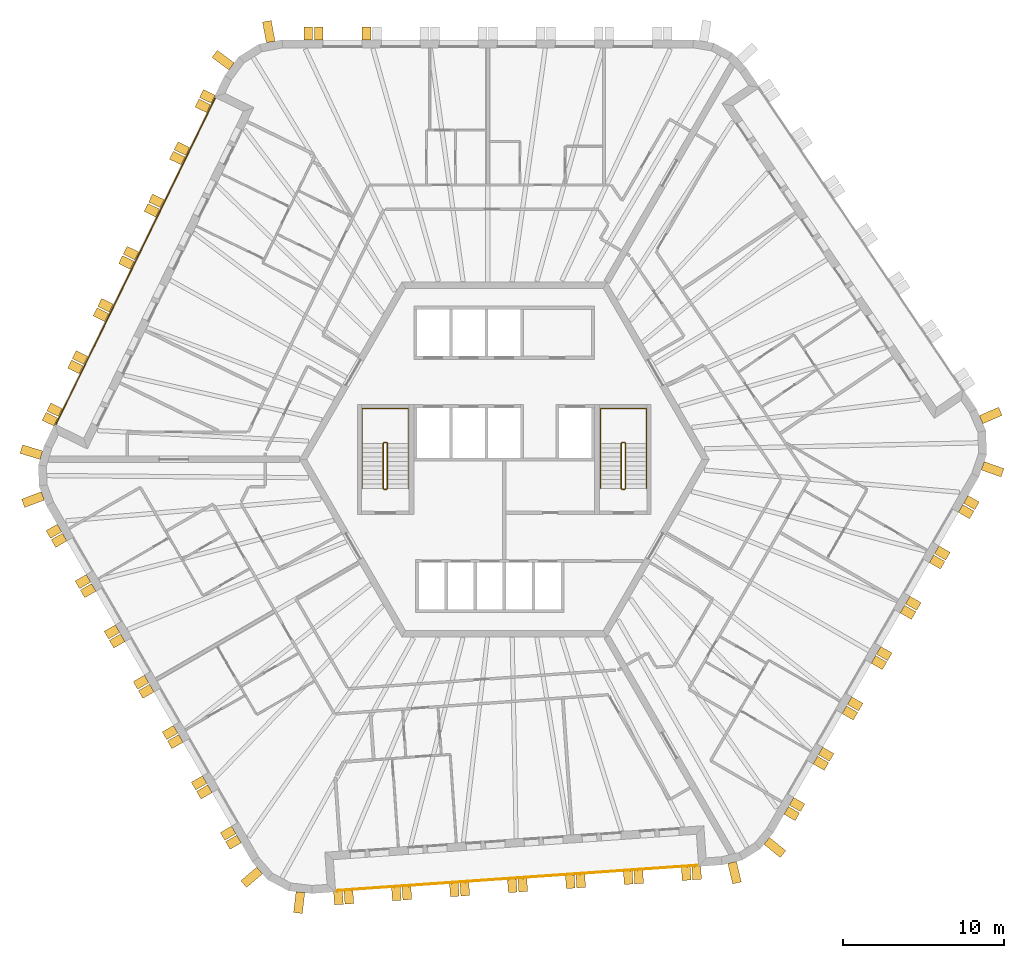
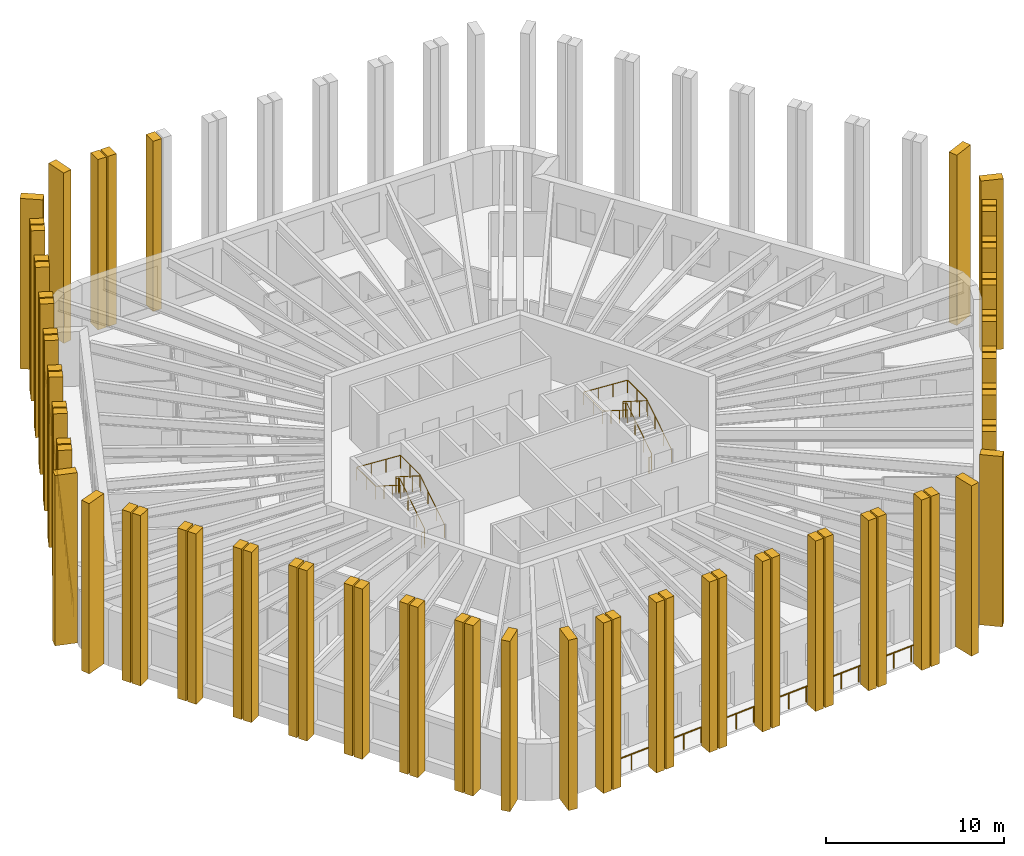
# One storey, part 11 of 12: 69 shading devices, 6 railings.
"""IFC4 building model written with IfcOpenShell, lengths in metres."""

from ifc_helpers import new_model, si_unit, direction, frame, origin, origin_2d, place, context, subcontext, project, spatial, polyline, circle, outline, extrude, material, layer, layer_set, type_object, element, save


model = new_model("IFC4")

# Units and contexts
model_context = context("Model", 3, precision=1e-05, world=origin(), true_north=direction((0.0, 1.0)))
body_context = subcontext(model_context, "Body", "Model", "MODEL_VIEW")
ifc_project = project(units=[si_unit("LENGTHUNIT", "METRE"), si_unit("AREAUNIT", "SQUARE_METRE"), si_unit("VOLUMEUNIT", "CUBIC_METRE"), si_unit("PLANEANGLEUNIT", "RADIAN"), si_unit("MASSUNIT", "GRAM", prefix="KILO")], contexts=[model_context])

# Site, building, storey
site_placement = place(None, origin())
site = spatial("IfcSite", under=ifc_project, at=site_placement, CompositionType="ELEMENT")
building_placement = place(site_placement, origin())
building = spatial("IfcBuilding", under=site, at=building_placement, Name="Tarnside Tower", CompositionType="ELEMENT")
storey_placement = place(building_placement, frame((0.0, 0.0, 291.300048828125)))
storey = spatial("IfcBuildingStorey", under=building, at=storey_placement, Name="L70", CompositionType="ELEMENT", Elevation=291.300048828125)

# Railings
ifc_material_1 = material(Name="Toughened glass", Category="glass")
railing_type_1 = type_object("IfcRailingType", Name="Glass guard 1100", PredefinedType="GUARDRAIL", material=ifc_material_1)
railing_1_placement = place(storey_placement, frame((-17.906005859375, 22.415283203125, 0.0)))
element("IfcRailing", 1, at=railing_1_placement, inside=storey, type_object=railing_type_1, Name="Loggia guard L70 F2", PredefinedType="GUARDRAIL", context=body_context, shape_type="SweptSolid", body=[
    extrude(circle(Radius=0.030029296875, at=origin_2d()), frame((0.0, 0.0, 1.070068359375), z_axis=(-0.438372639335, -0.898793318335, 0.0), x_axis=(0.898793318335, -0.438372639335, 0.0)), (0.0, 0.0, 1.0), 22.544921875),
    extrude(circle(Radius=0.02490234375, at=origin_2d()), origin(), (0.0, 0.0, 1.0), 1.0400390625),
    extrude(circle(Radius=0.02490234375, at=origin_2d()), frame((-0.520263671875, -1.06640625, 0.0)), (0.0, 0.0, 1.0), 1.0400390625),
    extrude(circle(Radius=0.02490234375, at=origin_2d()), frame((-1.040283203125, -2.133056640625, 0.0)), (0.0, 0.0, 1.0), 1.0400390625),
    extrude(circle(Radius=0.02490234375, at=origin_2d()), frame((-1.560546875, -3.199462890625, 0.0)), (0.0, 0.0, 1.0), 1.0400390625),
    extrude(circle(Radius=0.02490234375, at=origin_2d()), frame((-2.08056640625, -4.265869140625, 0.0)), (0.0, 0.0, 1.0), 1.0400390625),
    extrude(circle(Radius=0.02490234375, at=origin_2d()), frame((-2.600830078125, -5.33251953125, 0.0)), (0.0, 0.0, 1.0), 1.0400390625),
    extrude(circle(Radius=0.02490234375, at=origin_2d()), frame((-3.120849609375, -6.39892578125, 0.0)), (0.0, 0.0, 1.0), 1.0400390625),
    extrude(circle(Radius=0.02490234375, at=origin_2d()), frame((-3.64111328125, -7.46533203125, 0.0)), (0.0, 0.0, 1.0), 1.0400390625),
    extrude(circle(Radius=0.02490234375, at=origin_2d()), frame((-4.161376953125, -8.531982421875, 0.0)), (0.0, 0.0, 1.0), 1.0400390625),
    extrude(circle(Radius=0.02490234375, at=origin_2d()), frame((-4.681396484375, -9.598388671875, 0.0)), (0.0, 0.0, 1.0), 1.0400390625),
    extrude(circle(Radius=0.02490234375, at=origin_2d()), frame((-5.20166015625, -10.664794921875, 0.0)), (0.0, 0.0, 1.0), 1.0400390625),
    extrude(circle(Radius=0.02490234375, at=origin_2d()), frame((-5.7216796875, -11.731201171875, 0.0)), (0.0, 0.0, 1.0), 1.0400390625),
    extrude(circle(Radius=0.02490234375, at=origin_2d()), frame((-6.241943359375, -12.7978515625, 0.0)), (0.0, 0.0, 1.0), 1.0400390625),
    extrude(circle(Radius=0.02490234375, at=origin_2d()), frame((-6.76220703125, -13.8642578125, 0.0)), (0.0, 0.0, 1.0), 1.0400390625),
    extrude(circle(Radius=0.02490234375, at=origin_2d()), frame((-7.2822265625, -14.9306640625, 0.0)), (0.0, 0.0, 1.0), 1.0400390625),
    extrude(circle(Radius=0.02490234375, at=origin_2d()), frame((-7.802490234375, -15.997314453125, 0.0)), (0.0, 0.0, 1.0), 1.0400390625),
    extrude(circle(Radius=0.02490234375, at=origin_2d()), frame((-8.322509765625, -17.063720703125, 0.0)), (0.0, 0.0, 1.0), 1.0400390625),
    extrude(circle(Radius=0.02490234375, at=origin_2d()), frame((-8.8427734375, -18.130126953125, 0.0)), (0.0, 0.0, 1.0), 1.0400390625),
    extrude(circle(Radius=0.02490234375, at=origin_2d()), frame((-9.36279296875, -19.19677734375, 0.0)), (0.0, 0.0, 1.0), 1.0400390625),
    extrude(circle(Radius=0.02490234375, at=origin_2d()), frame((-9.883056640625, -20.26318359375, 0.0)), (0.0, 0.0, 1.0), 1.0400390625),
])
railing_2_placement = place(storey_placement, frame((-10.458984375, -26.714599609375, 0.0)))
element("IfcRailing", 2, at=railing_2_placement, inside=storey, type_object=railing_type_1, Name="Loggia guard L70 F4", PredefinedType="GUARDRAIL", context=body_context, shape_type="SweptSolid", body=[
    extrude(circle(Radius=0.030029296875, at=origin_2d()), frame((0.0, 0.0, 1.070068359375), z_axis=(0.997564440639, 0.069750890837, 0.0), x_axis=(-0.069750890837, 0.997564440639, 0.0)), (0.0, 0.0, 1.0), 22.544677734375),
    extrude(circle(Radius=0.02490234375, at=origin_2d()), origin(), (0.0, 0.0, 1.0), 1.0400390625),
    extrude(circle(Radius=0.02490234375, at=origin_2d()), frame((1.18359375, 0.082763671875, 0.0)), (0.0, 0.0, 1.0), 1.0400390625),
    extrude(circle(Radius=0.02490234375, at=origin_2d()), frame((2.367431640625, 0.16552734375, 0.0)), (0.0, 0.0, 1.0), 1.0400390625),
    extrude(circle(Radius=0.02490234375, at=origin_2d()), frame((3.551025390625, 0.248291015625, 0.0)), (0.0, 0.0, 1.0), 1.0400390625),
    extrude(circle(Radius=0.02490234375, at=origin_2d()), frame((4.734619140625, 0.3310546875, 0.0)), (0.0, 0.0, 1.0), 1.0400390625),
    extrude(circle(Radius=0.02490234375, at=origin_2d()), frame((5.91845703125, 0.413818359375, 0.0)), (0.0, 0.0, 1.0), 1.0400390625),
    extrude(circle(Radius=0.02490234375, at=origin_2d()), frame((7.10205078125, 0.49658203125, 0.0)), (0.0, 0.0, 1.0), 1.0400390625),
    extrude(circle(Radius=0.02490234375, at=origin_2d()), frame((8.28564453125, 0.579345703125, 0.0)), (0.0, 0.0, 1.0), 1.0400390625),
    extrude(circle(Radius=0.02490234375, at=origin_2d()), frame((9.469482421875, 0.662109375, 0.0)), (0.0, 0.0, 1.0), 1.0400390625),
    extrude(circle(Radius=0.02490234375, at=origin_2d()), frame((10.653076171875, 0.744873046875, 0.0)), (0.0, 0.0, 1.0), 1.0400390625),
    extrude(circle(Radius=0.02490234375, at=origin_2d()), frame((11.836669921875, 0.82763671875, 0.0)), (0.0, 0.0, 1.0), 1.0400390625),
    extrude(circle(Radius=0.02490234375, at=origin_2d()), frame((13.020263671875, 0.910400390625, 0.0)), (0.0, 0.0, 1.0), 1.0400390625),
    extrude(circle(Radius=0.02490234375, at=origin_2d()), frame((14.2041015625, 0.9931640625, 0.0)), (0.0, 0.0, 1.0), 1.0400390625),
    extrude(circle(Radius=0.02490234375, at=origin_2d()), frame((15.3876953125, 1.075927734375, 0.0)), (0.0, 0.0, 1.0), 1.0400390625),
    extrude(circle(Radius=0.02490234375, at=origin_2d()), frame((16.5712890625, 1.15869140625, 0.0)), (0.0, 0.0, 1.0), 1.0400390625),
    extrude(circle(Radius=0.02490234375, at=origin_2d()), frame((17.755126953125, 1.241455078125, 0.0)), (0.0, 0.0, 1.0), 1.0400390625),
    extrude(circle(Radius=0.02490234375, at=origin_2d()), frame((18.938720703125, 1.32421875, 0.0)), (0.0, 0.0, 1.0), 1.0400390625),
    extrude(circle(Radius=0.02490234375, at=origin_2d()), frame((20.122314453125, 1.406982421875, 0.0)), (0.0, 0.0, 1.0), 1.0400390625),
    extrude(circle(Radius=0.02490234375, at=origin_2d()), frame((21.30615234375, 1.48974609375, 0.0)), (0.0, 0.0, 1.0), 1.0400390625),
    extrude(circle(Radius=0.02490234375, at=origin_2d()), frame((22.48974609375, 1.572509765625, 0.0)), (0.0, 0.0, 1.0), 1.0400390625),
])

# Shading devices
ifc_material_2 = material(Name="Concrete C50/60 white precast", Category="concrete")
ifc_layer_1 = layer(ifc_material_2, 0.550048828125)
ifc_layer_set_1 = layer_set([ifc_layer_1], Name="Precast fin 550 x 1300")
shading_device_type_1 = type_object("IfcShadingDeviceType", Name="Precast fin 550 x 1300", PredefinedType="USERDEFINED", material=ifc_layer_set_1)
for number, where, z_axis, x_axis, name in (
    (3, (-14.4755859375, 25.8671875, -0.150146484375), (0.982720646705, 0.18509492305, 0.0), (-0.18509492305, 0.982720646705, 0.0), "Precast fin"),
    (4, (-16.903564453125, 24.349853515625, -0.150146484375), (0.597158591707, 0.802123192752, 0.0), (-0.802123192752, 0.597158591707, 0.0), "Precast fin"),
    (5, (-28.685791015625, 0.263427734375, -0.150146484375), (0.286803232717, 0.957989512314, 0.0), (-0.957989512314, 0.286803232717, 0.0), "Precast fin"),
    (6, (-28.597412109375, -2.263671875, -0.150146484375), (-0.352930564719, 0.935649515837, 0.0), (-0.935649515837, -0.352930564719, 0.0), "Precast fin"),
    (7, (-15.163818359375, -25.4697265625, -0.150146484375), (-0.651657228826, 0.758513583345, 0.0), (-0.758513583345, -0.651657228826, 0.0), "Precast fin"),
    (8, (-12.6357421875, -26.81396484375, -0.150146484375), (-0.993238357741, 0.116092914131, 0.0), (-0.116092914131, -0.993238357741, 0.0), "Precast fin"),
    (9, (14.11474609375, -24.974365234375, -0.150146484375), (-0.973044870581, -0.230615870737, 0.0), (0.230615870737, -0.973044870581, 0.0), "Precast fin"),
    (10, (16.25927734375, -23.63427734375, -0.150146484375), (-0.633830967394, -0.773471592738, 0.0), (0.773471592738, -0.633830967394, 0.0), "Precast fin"),
    (11, (29.639404296875, -0.3974609375, -0.150146484375), (-0.331063417879, -0.943608506396, 0.0), (0.943608506396, -0.331063417879, 0.0), "Precast fin"),
    (12, (29.53955078125, 2.464111328125, -0.150146484375), (0.396079766034, -0.918216106883, 0.0), (0.918216106883, 0.396079766034, 0.0), "Precast fin"),
):
    element("IfcShadingDevice", number, at=place(storey_placement, frame(where, z_axis=z_axis, x_axis=x_axis)), inside=storey, type_object=shading_device_type_1, Name=name, ObjectType="FIN", PredefinedType="USERDEFINED", context=body_context, shape_type="SweptSolid", body=[
        extrude(outline(polyline([(0.0, 0.0), (1.300048828125, 0.0), (1.300048828125, 11.7001953125), (0.0, 11.7001953125), (0.0, 0.0)])), frame((0.0, 0.0, -0.27490234375)), (0.0, 0.0, 1.0), 0.550048828125),
    ])
ifc_layer_2 = layer(ifc_material_2, 0.550048828125)
ifc_layer_set_2 = layer_set([ifc_layer_2], Name="Precast fin 550 x 800")
shading_device_type_2 = type_object("IfcShadingDeviceType", Name="Precast fin 550 x 800", PredefinedType="USERDEFINED", material=ifc_layer_set_2)
for number, where, z_axis, x_axis, name in (
    (13, (-8.5498046875, 26.0, -0.150146484375), (1.0, 0.0, 0.0), (0.0, 1.0, 0.0), "Precast fin"),
    (14, (-11.499755859375, 26.0, -0.150146484375), (1.0, 0.0, 0.0), (0.0, 1.0, 0.0), "Precast fin"),
    (15, (-12.14990234375, 26.0, -0.150146484375), (1.0, 0.0, 0.0), (0.0, 1.0, 0.0), "Precast fin"),
    (16, (-18.04248046875, 22.31787109375, -0.150146484375), (0.438371146789, 0.898794046299, 0.0), (-0.898794046299, 0.438371146789, 0.0), "Precast fin"),
    (17, (-18.327392578125, 21.733642578125, -0.150146484375), (0.438371146789, 0.898794046299, 0.0), (-0.898794046299, 0.438371146789, 0.0), "Precast fin"),
    (18, (-19.62060546875, 19.08203125, -0.150146484375), (0.438371146789, 0.898794046299, 0.0), (-0.898794046299, 0.438371146789, 0.0), "Precast fin"),
    (19, (-19.905517578125, 18.497802734375, -0.150146484375), (0.438371146789, 0.898794046299, 0.0), (-0.898794046299, 0.438371146789, 0.0), "Precast fin"),
    (20, (-21.19873046875, 15.846435546875, -0.150146484375), (0.438371146789, 0.898794046299, 0.0), (-0.898794046299, 0.438371146789, 0.0), "Precast fin"),
    (21, (-21.48388671875, 15.26220703125, -0.150146484375), (0.438371146789, 0.898794046299, 0.0), (-0.898794046299, 0.438371146789, 0.0), "Precast fin"),
    (22, (-22.77685546875, 12.61083984375, -0.150146484375), (0.438371146789, 0.898794046299, 0.0), (-0.898794046299, 0.438371146789, 0.0), "Precast fin"),
    (23, (-23.06201171875, 12.026611328125, -0.150146484375), (0.438371146789, 0.898794046299, 0.0), (-0.898794046299, 0.438371146789, 0.0), "Precast fin"),
    (24, (-24.35498046875, 9.375, -0.150146484375), (0.438371146789, 0.898794046299, 0.0), (-0.898794046299, 0.438371146789, 0.0), "Precast fin"),
    (25, (-24.64013671875, 8.791015625, -0.150146484375), (0.438371146789, 0.898794046299, 0.0), (-0.898794046299, 0.438371146789, 0.0), "Precast fin"),
    (26, (-25.933349609375, 6.139404296875, -0.150146484375), (0.438371146789, 0.898794046299, 0.0), (-0.898794046299, 0.438371146789, 0.0), "Precast fin"),
    (27, (-26.21826171875, 5.55517578125, -0.150146484375), (0.438371146789, 0.898794046299, 0.0), (-0.898794046299, 0.438371146789, 0.0), "Precast fin"),
    (28, (-27.511474609375, 2.90380859375, -0.150146484375), (0.438371146789, 0.898794046299, 0.0), (-0.898794046299, 0.438371146789, 0.0), "Precast fin"),
    (29, (-27.79638671875, 2.319580078125, -0.150146484375), (0.438371146789, 0.898794046299, 0.0), (-0.898794046299, 0.438371146789, 0.0), "Precast fin"),
    (30, (-27.566650390625, -4.2529296875, -0.150146484375), (-0.5, 0.866025403784, 0.0), (-0.866025403784, -0.5, 0.0), "Precast fin"),
    (31, (-27.24169921875, -4.81591796875, -0.150146484375), (-0.5, 0.866025403784, 0.0), (-0.866025403784, -0.5, 0.0), "Precast fin"),
    (32, (-25.766845703125, -7.37060546875, -0.150146484375), (-0.5, 0.866025403784, 0.0), (-0.866025403784, -0.5, 0.0), "Precast fin"),
    (33, (-25.441650390625, -7.93359375, -0.150146484375), (-0.5, 0.866025403784, 0.0), (-0.866025403784, -0.5, 0.0), "Precast fin"),
    (34, (-23.966796875, -10.48828125, -0.150146484375), (-0.5, 0.866025403784, 0.0), (-0.866025403784, -0.5, 0.0), "Precast fin"),
    (35, (-23.641845703125, -11.05126953125, -0.150146484375), (-0.5, 0.866025403784, 0.0), (-0.866025403784, -0.5, 0.0), "Precast fin"),
    (36, (-22.166748046875, -13.60595703125, -0.150146484375), (-0.5, 0.866025403784, 0.0), (-0.866025403784, -0.5, 0.0), "Precast fin"),
    (37, (-21.841796875, -14.1689453125, -0.150146484375), (-0.5, 0.866025403784, 0.0), (-0.866025403784, -0.5, 0.0), "Precast fin"),
    (38, (-20.36669921875, -16.7236328125, -0.150146484375), (-0.5, 0.866025403784, 0.0), (-0.866025403784, -0.5, 0.0), "Precast fin"),
    (39, (-20.041748046875, -17.28662109375, -0.150146484375), (-0.5, 0.866025403784, 0.0), (-0.866025403784, -0.5, 0.0), "Precast fin"),
    (40, (-18.566650390625, -19.84130859375, -0.150146484375), (-0.5, 0.866025403784, 0.0), (-0.866025403784, -0.5, 0.0), "Precast fin"),
    (41, (-18.24169921875, -20.404296875, -0.150146484375), (-0.5, 0.866025403784, 0.0), (-0.866025403784, -0.5, 0.0), "Precast fin"),
    (42, (-16.766845703125, -22.959228515625, -0.150146484375), (-0.5, 0.866025403784, 0.0), (-0.866025403784, -0.5, 0.0), "Precast fin"),
    (43, (-16.441650390625, -23.52197265625, -0.150146484375), (-0.5, 0.866025403784, 0.0), (-0.866025403784, -0.5, 0.0), "Precast fin"),
    (44, (-10.306396484375, -26.7841796875, -0.150146484375), (-0.99756405026, -0.069756473744, 0.0), (0.069756473744, -0.99756405026, 0.0), "Precast fin"),
    (45, (-9.657958984375, -26.73876953125, -0.150146484375), (-0.99756405026, -0.069756473744, 0.0), (0.069756473744, -0.99756405026, 0.0), "Precast fin"),
    (46, (-6.71533203125, -26.532958984375, -0.150146484375), (-0.99756405026, -0.069756473744, 0.0), (0.069756473744, -0.99756405026, 0.0), "Precast fin"),
    (47, (-6.06689453125, -26.48779296875, -0.150146484375), (-0.99756405026, -0.069756473744, 0.0), (0.069756473744, -0.99756405026, 0.0), "Precast fin"),
    (48, (-3.1240234375, -26.281982421875, -0.150146484375), (-0.99756405026, -0.069756473744, 0.0), (0.069756473744, -0.99756405026, 0.0), "Precast fin"),
    (49, (-2.4755859375, -26.236572265625, -0.150146484375), (-0.99756405026, -0.069756473744, 0.0), (0.069756473744, -0.99756405026, 0.0), "Precast fin"),
    (50, (0.46728515625, -26.03076171875, -0.150146484375), (-0.99756405026, -0.069756473744, 0.0), (0.069756473744, -0.99756405026, 0.0), "Precast fin"),
    (51, (1.11572265625, -25.985595703125, -0.150146484375), (-0.99756405026, -0.069756473744, 0.0), (0.069756473744, -0.99756405026, 0.0), "Precast fin"),
    (52, (4.058349609375, -25.77978515625, -0.150146484375), (-0.99756405026, -0.069756473744, 0.0), (0.069756473744, -0.99756405026, 0.0), "Precast fin"),
    (53, (4.706787109375, -25.734375, -0.150146484375), (-0.99756405026, -0.069756473744, 0.0), (0.069756473744, -0.99756405026, 0.0), "Precast fin"),
    (54, (7.649658203125, -25.528564453125, -0.150146484375), (-0.99756405026, -0.069756473744, 0.0), (0.069756473744, -0.99756405026, 0.0), "Precast fin"),
    (55, (8.298095703125, -25.483154296875, -0.150146484375), (-0.99756405026, -0.069756473744, 0.0), (0.069756473744, -0.99756405026, 0.0), "Precast fin"),
    (56, (11.240966796875, -25.27734375, -0.150146484375), (-0.99756405026, -0.069756473744, 0.0), (0.069756473744, -0.99756405026, 0.0), "Precast fin"),
    (57, (11.889404296875, -25.232177734375, -0.150146484375), (-0.99756405026, -0.069756473744, 0.0), (0.069756473744, -0.99756405026, 0.0), "Precast fin"),
    (58, (17.466552734375, -21.7470703125, -0.150146484375), (-0.5, -0.866025403784, 0.0), (0.866025403784, -0.5, 0.0), "Precast fin"),
    (59, (17.79150390625, -21.18408203125, -0.150146484375), (-0.5, -0.866025403784, 0.0), (0.866025403784, -0.5, 0.0), "Precast fin"),
    (60, (19.2666015625, -18.62939453125, -0.150146484375), (-0.5, -0.866025403784, 0.0), (0.866025403784, -0.5, 0.0), "Precast fin"),
    (61, (19.591552734375, -18.06640625, -0.150146484375), (-0.5, -0.866025403784, 0.0), (0.866025403784, -0.5, 0.0), "Precast fin"),
    (62, (21.066650390625, -15.51171875, -0.150146484375), (-0.5, -0.866025403784, 0.0), (0.866025403784, -0.5, 0.0), "Precast fin"),
    (63, (21.3916015625, -14.94873046875, -0.150146484375), (-0.5, -0.866025403784, 0.0), (0.866025403784, -0.5, 0.0), "Precast fin"),
    (64, (22.866455078125, -12.39404296875, -0.150146484375), (-0.5, -0.866025403784, 0.0), (0.866025403784, -0.5, 0.0), "Precast fin"),
    (65, (23.191650390625, -11.8310546875, -0.150146484375), (-0.5, -0.866025403784, 0.0), (0.866025403784, -0.5, 0.0), "Precast fin"),
    (66, (24.66650390625, -9.2763671875, -0.150146484375), (-0.5, -0.866025403784, 0.0), (0.866025403784, -0.5, 0.0), "Precast fin"),
    (67, (24.991455078125, -8.71337890625, -0.150146484375), (-0.5, -0.866025403784, 0.0), (0.866025403784, -0.5, 0.0), "Precast fin"),
    (68, (26.466552734375, -6.15869140625, -0.150146484375), (-0.5, -0.866025403784, 0.0), (0.866025403784, -0.5, 0.0), "Precast fin"),
    (69, (26.79150390625, -5.595703125, -0.150146484375), (-0.5, -0.866025403784, 0.0), (0.866025403784, -0.5, 0.0), "Precast fin"),
    (70, (28.2666015625, -3.040771484375, -0.150146484375), (-0.5, -0.866025403784, 0.0), (0.866025403784, -0.5, 0.0), "Precast fin"),
    (71, (28.591552734375, -2.47802734375, -0.150146484375), (-0.5, -0.866025403784, 0.0), (0.866025403784, -0.5, 0.0), "Precast fin"),
):
    element("IfcShadingDevice", number, at=place(storey_placement, frame(where, z_axis=z_axis, x_axis=x_axis)), inside=storey, type_object=shading_device_type_2, Name=name, ObjectType="FIN", PredefinedType="USERDEFINED", context=body_context, shape_type="SweptSolid", body=[
        extrude(outline(polyline([(0.0, 0.0), (0.800048828125, 0.0), (0.800048828125, 11.7001953125), (0.0, 11.7001953125), (0.0, 0.0)])), frame((0.0, 0.0, -0.27490234375)), (0.0, 0.0, 1.0), 0.550048828125),
    ])

# Railings
ifc_material_3 = material(Name="Stainless steel", Category="steel")
railing_type_2 = type_object("IfcRailingType", Name="Stair guard 1100", PredefinedType="GUARDRAIL", material=ifc_material_3)
railing_3_placement = place(storey_placement, frame((7.300048828125, -1.85009765625, 0.0)))
element("IfcRailing", 72, at=railing_3_placement, inside=storey, type_object=railing_type_2, Name="L70 ST1 stair guard 1", PredefinedType="GUARDRAIL", context=body_context, shape_type="SweptSolid", body=[
    extrude(circle(Radius=0.02392578125, at=origin_2d()), frame((0.0, 0.0, 1.076171875), z_axis=(1.0, 0.0, 0.0), x_axis=(0.0, 1.0, 0.0)), (0.0, 0.0, 1.0), 0.14990234375),
    extrude(circle(Radius=0.02392578125, at=origin_2d()), frame((0.14990234375, 0.0, 1.076171875), z_axis=(0.262233686654, 0.262233686654, 0.928691007369), x_axis=(-0.707106781187, 0.707106781187, 0.0)), (0.0, 0.0, 1.0), 0.19091796875),
    extrude(circle(Radius=0.02392578125, at=origin_2d()), frame((0.199951171875, 0.050048828125, 1.25341796875), z_axis=(0.0, 0.844908973607, 0.534910110503), x_axis=(-1.0, 0.0, 0.0)), (0.0, 0.0, 1.0), 3.31396484375),
    extrude(circle(Radius=0.02392578125, at=origin_2d()), frame((0.199951171875, 2.85009765625, 3.02587890625), z_axis=(-0.707106781187, 0.707106781187, 0.0), x_axis=(-0.707106781187, -0.707106781187, 0.0)), (0.0, 0.0, 1.0), 0.07080078125),
    extrude(circle(Radius=0.02392578125, at=origin_2d()), frame((0.14990234375, 2.900146484375, 3.02587890625), z_axis=(-1.0, 0.0, 0.0), x_axis=(0.0, -1.0, 0.0)), (0.0, 0.0, 1.0), 0.14990234375),
    extrude(circle(Radius=0.02392578125, at=origin_2d()), frame((0.0, 2.900146484375, 3.02587890625), z_axis=(-0.262233686654, -0.262233686654, 0.928691007369), x_axis=(0.707106781187, -0.707106781187, 0.0)), (0.0, 0.0, 1.0), 0.19091796875),
    extrude(circle(Radius=0.02392578125, at=origin_2d()), frame((-0.050048828125, 2.85009765625, 3.203125), z_axis=(0.0, -0.844908973607, 0.534910110503), x_axis=(1.0, 0.0, 0.0)), (0.0, 0.0, 1.0), 3.31396484375),
    extrude(circle(Radius=0.02099609375, at=origin_2d()), origin(), (0.0, 0.0, 1.0), 1.052001953125),
    extrude(circle(Radius=0.02099609375, at=origin_2d()), frame((0.14990234375, 0.0, 0.0)), (0.0, 0.0, 1.0), 1.052001953125),
    extrude(circle(Radius=0.02099609375, at=origin_2d()), frame((0.199951171875, 0.050048828125, 0.17724609375)), (0.0, 0.0, 1.0), 1.052001953125),
    extrude(circle(Radius=0.02099609375, at=origin_2d()), frame((0.199951171875, 0.9833984375, 0.76806640625)), (0.0, 0.0, 1.0), 1.052001953125),
    extrude(circle(Radius=0.02099609375, at=origin_2d()), frame((0.199951171875, 1.916748046875, 1.359130859375)), (0.0, 0.0, 1.0), 1.052001953125),
    extrude(circle(Radius=0.02099609375, at=origin_2d()), frame((0.199951171875, 2.85009765625, 1.949951171875)), (0.0, 0.0, 1.0), 1.052001953125),
    extrude(circle(Radius=0.02099609375, at=origin_2d()), frame((0.14990234375, 2.900146484375, 1.949951171875)), (0.0, 0.0, 1.0), 1.052001953125),
    extrude(circle(Radius=0.02099609375, at=origin_2d()), frame((0.0, 2.900146484375, 1.949951171875)), (0.0, 0.0, 1.0), 1.052001953125),
    extrude(circle(Radius=0.02099609375, at=origin_2d()), frame((-0.050048828125, 2.85009765625, 2.127197265625)), (0.0, 0.0, 1.0), 1.052001953125),
    extrude(circle(Radius=0.02099609375, at=origin_2d()), frame((-0.050048828125, 1.916748046875, 2.718017578125)), (0.0, 0.0, 1.0), 1.052001953125),
    extrude(circle(Radius=0.02099609375, at=origin_2d()), frame((-0.050048828125, 0.9833984375, 3.30908203125)), (0.0, 0.0, 1.0), 1.052001953125),
    extrude(circle(Radius=0.02099609375, at=origin_2d()), frame((-0.050048828125, 0.050048828125, 3.89990234375)), (0.0, 0.0, 1.0), 1.052001953125),
])
railing_4_placement = place(storey_placement, frame((-7.449951171875, -1.85009765625, 0.0)))
element("IfcRailing", 73, at=railing_4_placement, inside=storey, type_object=railing_type_2, Name="L70 ST2 stair guard 1", PredefinedType="GUARDRAIL", context=body_context, shape_type="SweptSolid", body=[
    extrude(circle(Radius=0.02392578125, at=origin_2d()), frame((0.0, 0.0, 1.076171875), z_axis=(1.0, 0.0, 0.0), x_axis=(0.0, 1.0, 0.0)), (0.0, 0.0, 1.0), 0.14990234375),
    extrude(circle(Radius=0.02392578125, at=origin_2d()), frame((0.14990234375, 0.0, 1.076171875), z_axis=(0.262233686654, 0.262233686654, 0.928691007369), x_axis=(-0.707106781187, 0.707106781187, 0.0)), (0.0, 0.0, 1.0), 0.19091796875),
    extrude(circle(Radius=0.02392578125, at=origin_2d()), frame((0.199951171875, 0.050048828125, 1.25341796875), z_axis=(0.0, 0.844908973607, 0.534910110503), x_axis=(-1.0, 0.0, 0.0)), (0.0, 0.0, 1.0), 3.31396484375),
    extrude(circle(Radius=0.02392578125, at=origin_2d()), frame((0.199951171875, 2.85009765625, 3.02587890625), z_axis=(-0.707106781187, 0.707106781187, 0.0), x_axis=(-0.707106781187, -0.707106781187, 0.0)), (0.0, 0.0, 1.0), 0.07080078125),
    extrude(circle(Radius=0.02392578125, at=origin_2d()), frame((0.14990234375, 2.900146484375, 3.02587890625), z_axis=(-1.0, 0.0, 0.0), x_axis=(0.0, -1.0, 0.0)), (0.0, 0.0, 1.0), 0.14990234375),
    extrude(circle(Radius=0.02392578125, at=origin_2d()), frame((0.0, 2.900146484375, 3.02587890625), z_axis=(-0.262233686654, -0.262233686654, 0.928691007369), x_axis=(0.707106781187, -0.707106781187, 0.0)), (0.0, 0.0, 1.0), 0.19091796875),
    extrude(circle(Radius=0.02392578125, at=origin_2d()), frame((-0.050048828125, 2.85009765625, 3.203125), z_axis=(0.0, -0.844908973607, 0.534910110503), x_axis=(1.0, 0.0, 0.0)), (0.0, 0.0, 1.0), 3.31396484375),
    extrude(circle(Radius=0.02099609375, at=origin_2d()), origin(), (0.0, 0.0, 1.0), 1.052001953125),
    extrude(circle(Radius=0.02099609375, at=origin_2d()), frame((0.14990234375, 0.0, 0.0)), (0.0, 0.0, 1.0), 1.052001953125),
    extrude(circle(Radius=0.02099609375, at=origin_2d()), frame((0.199951171875, 0.050048828125, 0.17724609375)), (0.0, 0.0, 1.0), 1.052001953125),
    extrude(circle(Radius=0.02099609375, at=origin_2d()), frame((0.199951171875, 0.9833984375, 0.76806640625)), (0.0, 0.0, 1.0), 1.052001953125),
    extrude(circle(Radius=0.02099609375, at=origin_2d()), frame((0.199951171875, 1.916748046875, 1.359130859375)), (0.0, 0.0, 1.0), 1.052001953125),
    extrude(circle(Radius=0.02099609375, at=origin_2d()), frame((0.199951171875, 2.85009765625, 1.949951171875)), (0.0, 0.0, 1.0), 1.052001953125),
    extrude(circle(Radius=0.02099609375, at=origin_2d()), frame((0.14990234375, 2.900146484375, 1.949951171875)), (0.0, 0.0, 1.0), 1.052001953125),
    extrude(circle(Radius=0.02099609375, at=origin_2d()), frame((0.0, 2.900146484375, 1.949951171875)), (0.0, 0.0, 1.0), 1.052001953125),
    extrude(circle(Radius=0.02099609375, at=origin_2d()), frame((-0.050048828125, 2.85009765625, 2.127197265625)), (0.0, 0.0, 1.0), 1.052001953125),
    extrude(circle(Radius=0.02099609375, at=origin_2d()), frame((-0.050048828125, 1.916748046875, 2.718017578125)), (0.0, 0.0, 1.0), 1.052001953125),
    extrude(circle(Radius=0.02099609375, at=origin_2d()), frame((-0.050048828125, 0.9833984375, 3.30908203125)), (0.0, 0.0, 1.0), 1.052001953125),
    extrude(circle(Radius=0.02099609375, at=origin_2d()), frame((-0.050048828125, 0.050048828125, 3.89990234375)), (0.0, 0.0, 1.0), 1.052001953125),
])
railing_type_3 = type_object("IfcRailingType", Name="Stair handrail 900", PredefinedType="HANDRAIL", material=ifc_material_3)
railing_5_placement = place(storey_placement, frame((8.800048828125, -1.800048828125, 0.17724609375)))
element("IfcRailing", 74, at=railing_5_placement, inside=storey, type_object=railing_type_3, Name="L70 ST1 stair handrail 1", PredefinedType="HANDRAIL", context=body_context, shape_type="SweptSolid", body=[
    extrude(circle(Radius=0.02392578125, at=origin_2d()), frame((0.0, 0.0, 0.8857421875), z_axis=(0.0, 0.844908973607, 0.534910110503), x_axis=(-1.0, 0.0, 0.0)), (0.0, 0.0, 1.0), 3.31396484375),
    extrude(circle(Radius=0.02392578125, at=origin_2d()), frame((0.0, 2.800048828125, 2.65869140625), z_axis=(0.0, 1.0, 0.0), x_axis=(-1.0, 0.0, 0.0)), (0.0, 0.0, 1.0), 2.14990234375),
    extrude(circle(Radius=0.02392578125, at=origin_2d()), frame((0.0, 4.949951171875, 2.65869140625), z_axis=(-0.998071825391, 0.0, 0.06206956872), x_axis=(0.0, -1.0, 0.0)), (0.0, 0.0, 1.0), 2.855712890625),
    extrude(circle(Radius=0.02392578125, at=origin_2d()), frame((-2.85009765625, 4.949951171875, 2.8359375), z_axis=(0.0, -1.0, 0.0), x_axis=(1.0, 0.0, 0.0)), (0.0, 0.0, 1.0), 2.14990234375),
    extrude(circle(Radius=0.02392578125, at=origin_2d()), frame((-2.85009765625, 2.800048828125, 2.8359375), z_axis=(0.0, -0.844908973607, 0.534910110503), x_axis=(1.0, 0.0, 0.0)), (0.0, 0.0, 1.0), 3.31396484375),
    extrude(circle(Radius=0.02099609375, at=origin_2d()), origin(), (0.0, 0.0, 1.0), 0.86181640625),
    extrude(circle(Radius=0.02099609375, at=origin_2d()), frame((0.0, 0.933349609375, 0.5908203125)), (0.0, 0.0, 1.0), 0.86181640625),
    extrude(circle(Radius=0.02099609375, at=origin_2d()), frame((0.0, 1.86669921875, 1.181884765625)), (0.0, 0.0, 1.0), 0.86181640625),
    extrude(circle(Radius=0.02099609375, at=origin_2d()), frame((0.0, 2.800048828125, 1.772705078125)), (0.0, 0.0, 1.0), 0.86181640625),
    extrude(circle(Radius=0.02099609375, at=origin_2d()), frame((0.0, 3.875, 1.772705078125)), (0.0, 0.0, 1.0), 0.86181640625),
    extrude(circle(Radius=0.02099609375, at=origin_2d()), frame((0.0, 4.949951171875, 1.772705078125)), (0.0, 0.0, 1.0), 0.86181640625),
    extrude(circle(Radius=0.02099609375, at=origin_2d()), frame((-0.949951171875, 4.949951171875, 1.831787109375)), (0.0, 0.0, 1.0), 0.86181640625),
    extrude(circle(Radius=0.02099609375, at=origin_2d()), frame((-1.900146484375, 4.949951171875, 1.890869140625)), (0.0, 0.0, 1.0), 0.86181640625),
    extrude(circle(Radius=0.02099609375, at=origin_2d()), frame((-2.85009765625, 4.949951171875, 1.949951171875)), (0.0, 0.0, 1.0), 0.86181640625),
    extrude(circle(Radius=0.02099609375, at=origin_2d()), frame((-2.85009765625, 3.875, 1.949951171875)), (0.0, 0.0, 1.0), 0.86181640625),
    extrude(circle(Radius=0.02099609375, at=origin_2d()), frame((-2.85009765625, 2.800048828125, 1.949951171875)), (0.0, 0.0, 1.0), 0.86181640625),
    extrude(circle(Radius=0.02099609375, at=origin_2d()), frame((-2.85009765625, 1.86669921875, 2.540771484375)), (0.0, 0.0, 1.0), 0.86181640625),
    extrude(circle(Radius=0.02099609375, at=origin_2d()), frame((-2.85009765625, 0.933349609375, 3.1318359375)), (0.0, 0.0, 1.0), 0.86181640625),
    extrude(circle(Radius=0.02099609375, at=origin_2d()), frame((-2.85009765625, 0.0, 3.72265625)), (0.0, 0.0, 1.0), 0.86181640625),
])
railing_6_placement = place(storey_placement, frame((-5.949951171875, -1.800048828125, 0.17724609375)))
element("IfcRailing", 75, at=railing_6_placement, inside=storey, type_object=railing_type_3, Name="L70 ST2 stair handrail 1", PredefinedType="HANDRAIL", context=body_context, shape_type="SweptSolid", body=[
    extrude(circle(Radius=0.02392578125, at=origin_2d()), frame((0.0, 0.0, 0.8857421875), z_axis=(0.0, 0.844908973607, 0.534910110503), x_axis=(-1.0, 0.0, 0.0)), (0.0, 0.0, 1.0), 3.31396484375),
    extrude(circle(Radius=0.02392578125, at=origin_2d()), frame((0.0, 2.800048828125, 2.65869140625), z_axis=(0.0, 1.0, 0.0), x_axis=(-1.0, 0.0, 0.0)), (0.0, 0.0, 1.0), 2.14990234375),
    extrude(circle(Radius=0.02392578125, at=origin_2d()), frame((0.0, 4.949951171875, 2.65869140625), z_axis=(-0.998071825391, 0.0, 0.06206956872), x_axis=(0.0, -1.0, 0.0)), (0.0, 0.0, 1.0), 2.855712890625),
    extrude(circle(Radius=0.02392578125, at=origin_2d()), frame((-2.85009765625, 4.949951171875, 2.8359375), z_axis=(0.0, -1.0, 0.0), x_axis=(1.0, 0.0, 0.0)), (0.0, 0.0, 1.0), 2.14990234375),
    extrude(circle(Radius=0.02392578125, at=origin_2d()), frame((-2.85009765625, 2.800048828125, 2.8359375), z_axis=(0.0, -0.844908973607, 0.534910110503), x_axis=(1.0, 0.0, 0.0)), (0.0, 0.0, 1.0), 3.31396484375),
    extrude(circle(Radius=0.02099609375, at=origin_2d()), origin(), (0.0, 0.0, 1.0), 0.86181640625),
    extrude(circle(Radius=0.02099609375, at=origin_2d()), frame((0.0, 0.933349609375, 0.5908203125)), (0.0, 0.0, 1.0), 0.86181640625),
    extrude(circle(Radius=0.02099609375, at=origin_2d()), frame((0.0, 1.86669921875, 1.181884765625)), (0.0, 0.0, 1.0), 0.86181640625),
    extrude(circle(Radius=0.02099609375, at=origin_2d()), frame((0.0, 2.800048828125, 1.772705078125)), (0.0, 0.0, 1.0), 0.86181640625),
    extrude(circle(Radius=0.02099609375, at=origin_2d()), frame((0.0, 3.875, 1.772705078125)), (0.0, 0.0, 1.0), 0.86181640625),
    extrude(circle(Radius=0.02099609375, at=origin_2d()), frame((0.0, 4.949951171875, 1.772705078125)), (0.0, 0.0, 1.0), 0.86181640625),
    extrude(circle(Radius=0.02099609375, at=origin_2d()), frame((-0.949951171875, 4.949951171875, 1.831787109375)), (0.0, 0.0, 1.0), 0.86181640625),
    extrude(circle(Radius=0.02099609375, at=origin_2d()), frame((-1.900146484375, 4.949951171875, 1.890869140625)), (0.0, 0.0, 1.0), 0.86181640625),
    extrude(circle(Radius=0.02099609375, at=origin_2d()), frame((-2.85009765625, 4.949951171875, 1.949951171875)), (0.0, 0.0, 1.0), 0.86181640625),
    extrude(circle(Radius=0.02099609375, at=origin_2d()), frame((-2.85009765625, 3.875, 1.949951171875)), (0.0, 0.0, 1.0), 0.86181640625),
    extrude(circle(Radius=0.02099609375, at=origin_2d()), frame((-2.85009765625, 2.800048828125, 1.949951171875)), (0.0, 0.0, 1.0), 0.86181640625),
    extrude(circle(Radius=0.02099609375, at=origin_2d()), frame((-2.85009765625, 1.86669921875, 2.540771484375)), (0.0, 0.0, 1.0), 0.86181640625),
    extrude(circle(Radius=0.02099609375, at=origin_2d()), frame((-2.85009765625, 0.933349609375, 3.1318359375)), (0.0, 0.0, 1.0), 0.86181640625),
    extrude(circle(Radius=0.02099609375, at=origin_2d()), frame((-2.85009765625, 0.0, 3.72265625)), (0.0, 0.0, 1.0), 0.86181640625),
])

save(model, "model.ifc")
